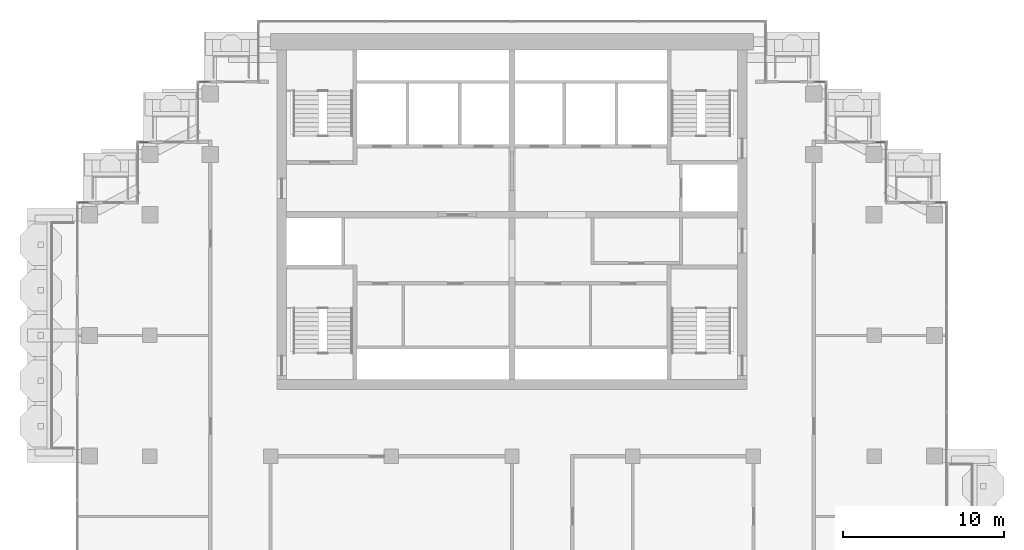
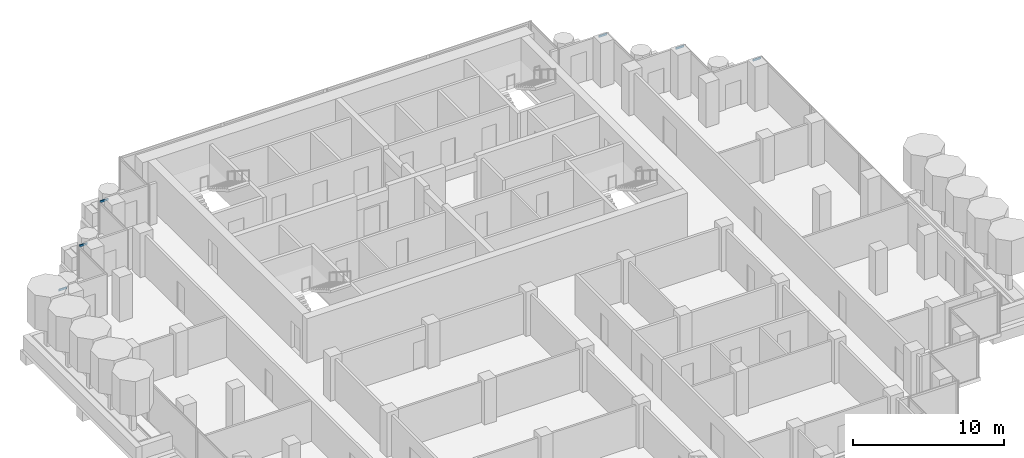
# One storey, part 7 of 18: 6 members, 6 elements without a shape of their own.
"""IFC4 building model written with IfcOpenShell, lengths in metres."""

from ifc_helpers import new_model, si_unit, direction, frame, origin, origin_2d, place, context, subcontext, project, spatial, rectangle, extrude, material, material_profile, profile_set, type_object, element, aggregate, save


model = new_model("IFC4")

# Units and contexts
model_context = context("Model", 3, precision=1e-05, world=origin(), true_north=direction((0.0, 1.0)))
body_context = subcontext(model_context, "Body", "Model", "MODEL_VIEW")
ifc_project = project(units=[si_unit("LENGTHUNIT", "METRE"), si_unit("AREAUNIT", "SQUARE_METRE"), si_unit("VOLUMEUNIT", "CUBIC_METRE"), si_unit("PLANEANGLEUNIT", "RADIAN"), si_unit("MASSUNIT", "GRAM", prefix="KILO")], contexts=[model_context])

# Site, building, storey
site_placement = place(None, origin())
site = spatial("IfcSite", under=ifc_project, at=site_placement, CompositionType="ELEMENT")
building_placement = place(site_placement, origin())
building = spatial("IfcBuilding", under=site, at=building_placement, Name="Pilkhan Gate Tower", CompositionType="ELEMENT")
storey_placement = place(building_placement, frame((0.0, 0.0, 221.10009765625)))
storey = spatial("IfcBuildingStorey", under=building, at=storey_placement, Name="L57", CompositionType="ELEMENT", Elevation=221.10009765625)

# Curtain wall, member
ifc_material_1 = material(Name="Pale anodised aluminium, clear low-iron double glazing", Category="aluminium")
curtain_wall_type = type_object("IfcCurtainWallType", Name="Office unitised curtain wall CW-O2", PredefinedType="USERDEFINED", material=ifc_material_1)
curtain_wall_1_placement = place(storey_placement, origin())
curtain_wall_1 = element("IfcCurtainWall", 1, at=curtain_wall_1_placement, inside=storey, type_object=curtain_wall_type, Name="Office unitised curtain wall CW-O2 L57 N", ObjectType="UNITISED CURTAIN WALL", PredefinedType="USERDEFINED")
ifc_material_2 = material(Name="Pale anodised aluminium", Category="aluminium")
ifc_material_profile = material_profile(ifc_material_2, rectangle(XDim=0.06494140625, YDim=0.1650390625, at=origin_2d()), Name="Transom 165x65")
ifc_profile_set = profile_set([ifc_material_profile], Name="Pale anodised aluminium")
member_type = type_object("IfcMemberType", Name="Transom CW-O2 165x65", PredefinedType="USERDEFINED", material=ifc_profile_set)
member_1_placement = place(storey_placement, frame((101.31494140625, 83.25, 3.21728515625), z_axis=(1.0, 0.0, 0.0), x_axis=(0.0, 1.0, 0.0)))
member_1 = element("IfcMember", 2, at=member_1_placement, type_object=member_type, Name="CW-O2 transom 1", ObjectType="TRANSOM", PredefinedType="USERDEFINED", context=body_context, shape_type="SweptSolid", body=[
    extrude(rectangle(XDim=0.06494140625, YDim=0.1650390625, at=origin_2d()), origin(), (0.0, 0.0, 1.0), 0.6201171875),
])
aggregate(curtain_wall_1, [member_1])

curtain_wall_2_placement = place(storey_placement, origin())
curtain_wall_2 = element("IfcCurtainWall", 3, at=curtain_wall_2_placement, inside=storey, type_object=curtain_wall_type, Name="Office unitised curtain wall CW-O2 L57 N", ObjectType="UNITISED CURTAIN WALL", PredefinedType="USERDEFINED")
member_2_placement = place(storey_placement, frame((97.56494140625, 87.0, 3.21728515625), z_axis=(1.0, 0.0, 0.0), x_axis=(0.0, 1.0, 0.0)))
member_2 = element("IfcMember", 4, at=member_2_placement, type_object=member_type, Name="CW-O2 transom 1", ObjectType="TRANSOM", PredefinedType="USERDEFINED", context=body_context, shape_type="SweptSolid", body=[
    extrude(rectangle(XDim=0.06494140625, YDim=0.1650390625, at=origin_2d()), origin(), (0.0, 0.0, 1.0), 0.6201171875),
])
aggregate(curtain_wall_2, [member_2])

curtain_wall_3_placement = place(storey_placement, origin())
curtain_wall_3 = element("IfcCurtainWall", 5, at=curtain_wall_3_placement, inside=storey, type_object=curtain_wall_type, Name="Office unitised curtain wall CW-O2 L57 N", ObjectType="UNITISED CURTAIN WALL", PredefinedType="USERDEFINED")
member_3_placement = place(storey_placement, frame((93.81494140625, 90.75, 3.21728515625), z_axis=(1.0, 0.0, 0.0), x_axis=(0.0, 1.0, 0.0)))
member_3 = element("IfcMember", 6, at=member_3_placement, type_object=member_type, Name="CW-O2 transom 1", ObjectType="TRANSOM", PredefinedType="USERDEFINED", context=body_context, shape_type="SweptSolid", body=[
    extrude(rectangle(XDim=0.06494140625, YDim=0.1650390625, at=origin_2d()), origin(), (0.0, 0.0, 1.0), 0.6201171875),
])
aggregate(curtain_wall_3, [member_3])

curtain_wall_4_placement = place(storey_placement, origin())
curtain_wall_4 = element("IfcCurtainWall", 7, at=curtain_wall_4_placement, inside=storey, type_object=curtain_wall_type, Name="Office unitised curtain wall CW-O2 L57 N", ObjectType="UNITISED CURTAIN WALL", PredefinedType="USERDEFINED")
member_4_placement = place(storey_placement, frame((55.56494140625, 90.75, 3.21728515625), z_axis=(1.0, 0.0, 0.0), x_axis=(0.0, 1.0, 0.0)))
member_4 = element("IfcMember", 8, at=member_4_placement, type_object=member_type, Name="CW-O2 transom 1", ObjectType="TRANSOM", PredefinedType="USERDEFINED", context=body_context, shape_type="SweptSolid", body=[
    extrude(rectangle(XDim=0.06494140625, YDim=0.1650390625, at=origin_2d()), origin(), (0.0, 0.0, 1.0), 0.6201171875),
])
aggregate(curtain_wall_4, [member_4])

curtain_wall_5_placement = place(storey_placement, origin())
curtain_wall_5 = element("IfcCurtainWall", 9, at=curtain_wall_5_placement, inside=storey, type_object=curtain_wall_type, Name="Office unitised curtain wall CW-O2 L57 N", ObjectType="UNITISED CURTAIN WALL", PredefinedType="USERDEFINED")
member_5_placement = place(storey_placement, frame((51.81494140625, 87.0, 3.21728515625), z_axis=(1.0, 0.0, 0.0), x_axis=(0.0, 1.0, 0.0)))
member_5 = element("IfcMember", 10, at=member_5_placement, type_object=member_type, Name="CW-O2 transom 1", ObjectType="TRANSOM", PredefinedType="USERDEFINED", context=body_context, shape_type="SweptSolid", body=[
    extrude(rectangle(XDim=0.06494140625, YDim=0.1650390625, at=origin_2d()), origin(), (0.0, 0.0, 1.0), 0.6201171875),
])
aggregate(curtain_wall_5, [member_5])

curtain_wall_6_placement = place(storey_placement, origin())
curtain_wall_6 = element("IfcCurtainWall", 11, at=curtain_wall_6_placement, inside=storey, type_object=curtain_wall_type, Name="Office unitised curtain wall CW-O2 L57 N", ObjectType="UNITISED CURTAIN WALL", PredefinedType="USERDEFINED")
member_6_placement = place(storey_placement, frame((48.06494140625, 83.25, 3.21728515625), z_axis=(1.0, 0.0, 0.0), x_axis=(0.0, 1.0, 0.0)))
member_6 = element("IfcMember", 12, at=member_6_placement, type_object=member_type, Name="CW-O2 transom 1", ObjectType="TRANSOM", PredefinedType="USERDEFINED", context=body_context, shape_type="SweptSolid", body=[
    extrude(rectangle(XDim=0.06494140625, YDim=0.1650390625, at=origin_2d()), origin(), (0.0, 0.0, 1.0), 0.6201171875),
])
aggregate(curtain_wall_6, [member_6])

save(model, "model.ifc")
